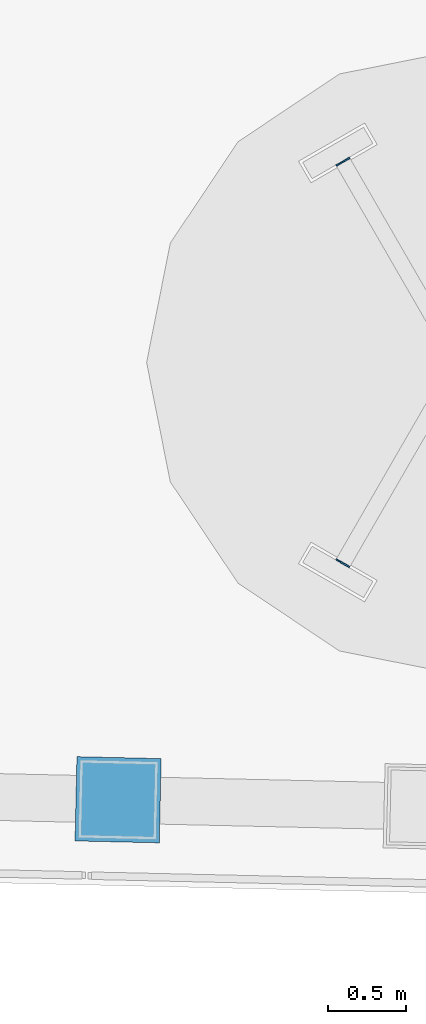
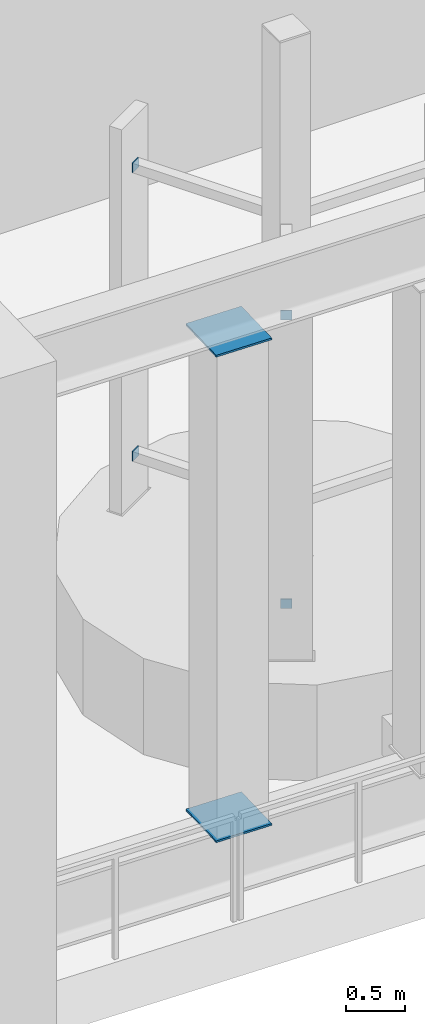
# One storey, part 15 of 33: 6 discrete accessories.
"""IFC4 building model written with IfcOpenShell, lengths in metres."""

from ifc_helpers import new_model, si_unit, direction, frame, origin, origin_2d, place, context, subcontext, project, spatial, rectangle, extrude, material, layer, layer_set, type_object, element, save


model = new_model("IFC4")

# Units and contexts
model_context = context("Model", 3, precision=1e-05, world=origin(), true_north=direction((0.0, 1.0)))
body_context = subcontext(model_context, "Body", "Model", "MODEL_VIEW")
ifc_project = project(units=[si_unit("LENGTHUNIT", "METRE"), si_unit("AREAUNIT", "SQUARE_METRE"), si_unit("VOLUMEUNIT", "CUBIC_METRE"), si_unit("PLANEANGLEUNIT", "RADIAN"), si_unit("MASSUNIT", "GRAM", prefix="KILO")], contexts=[model_context])

# Site, building, storey
site_placement = place(None, origin())
site = spatial("IfcSite", under=ifc_project, at=site_placement, CompositionType="ELEMENT")
building_placement = place(site_placement, origin())
building = spatial("IfcBuilding", under=site, at=building_placement, Name="Mangrove Gate Tower", CompositionType="ELEMENT")
storey_placement = place(building_placement, frame((0.0, 0.0, 219.5)))
storey = spatial("IfcBuildingStorey", under=building, at=storey_placement, Name="L56", CompositionType="ELEMENT", Elevation=219.5)

# Discrete accessories
ifc_material_1 = material(Name="Steel S355J2H", Category="steel")
ifc_layer_1 = layer(ifc_material_1, 0.010009765625)
ifc_layer_set_1 = layer_set([ifc_layer_1], Name="Arm end plate 100x100x10")
discrete_accessory_type_1 = type_object("IfcDiscreteAccessoryType", Name="Arm end plate 100x100x10", PredefinedType="ANCHORPLATE", material=ifc_layer_set_1)
for number, where, z_axis, x_axis, name in (
    (1, (1.452880859375, -16.85498046875, 1.449951171875), (0.0, 0.0, 1.0), (-0.5, 0.866025403784, 0.0), "END PLATE ARM L56 7.2.1 FIN"),
    (2, (1.452880859375, -16.85498046875, 4.449951171875), (0.0, 0.0, 1.0), (-0.5, 0.866025403784, 0.0), "END PLATE ARM L56 7.2.2 FIN"),
    (3, (1.451904296875, -19.427001953125, 1.449951171875), (0.0, 0.0, 1.0), (-0.5, -0.866025403784, 0.0), "END PLATE ARM L56 7.3.1 FIN"),
    (4, (1.451904296875, -19.427001953125, 4.449951171875), (0.0, 0.0, 1.0), (-0.5, -0.866025403784, 0.0), "END PLATE ARM L56 7.3.2 FIN"),
):
    element("IfcDiscreteAccessory", number, at=place(storey_placement, frame(where, z_axis=z_axis, x_axis=x_axis)), inside=storey, type_object=discrete_accessory_type_1, Name=name, PredefinedType="ANCHORPLATE", context=body_context, shape_type="SweptSolid", body=[
        extrude(rectangle(XDim=0.010009765625, YDim=0.10009765625, at=origin_2d()), origin(), (0.0, 0.0, 1.0), 0.10009765625),
    ])
ifc_material_2 = material(Name="Steel S355J2H", Category="steel")
ifc_layer_2 = layer(ifc_material_2, 0.02001953125)
ifc_layer_set_2 = layer_set([ifc_layer_2], Name="Belt truss end plate 540x540x20")
discrete_accessory_type_2 = type_object("IfcDiscreteAccessoryType", Name="Belt truss end plate 540x540x20", PredefinedType="ANCHORPLATE", material=ifc_layer_set_2)
for number, where, z_axis, x_axis, name in (
    (5, (0.012451171875, -20.9423828125, 0.68994140625), (0.0, 0.0, 1.0), (0.999743742523, -0.022637342732, 0.0), "Belt truss end plate L56 07-1 bottom"),
    (6, (0.012451171875, -20.9423828125, 5.739990234375), (0.0, 0.0, 1.0), (0.999743742523, -0.022637342732, 0.0), "Belt truss end plate L56 07-1 top"),
):
    element("IfcDiscreteAccessory", number, at=place(storey_placement, frame(where, z_axis=z_axis, x_axis=x_axis)), inside=storey, type_object=discrete_accessory_type_2, Name=name, PredefinedType="ANCHORPLATE", context=body_context, shape_type="SweptSolid", body=[
        extrude(rectangle(XDim=0.5400390625, YDim=0.5400390625, at=origin_2d()), origin(), (0.0, 0.0, 1.0), 0.02001953125),
    ])

save(model, "model.ifc")
